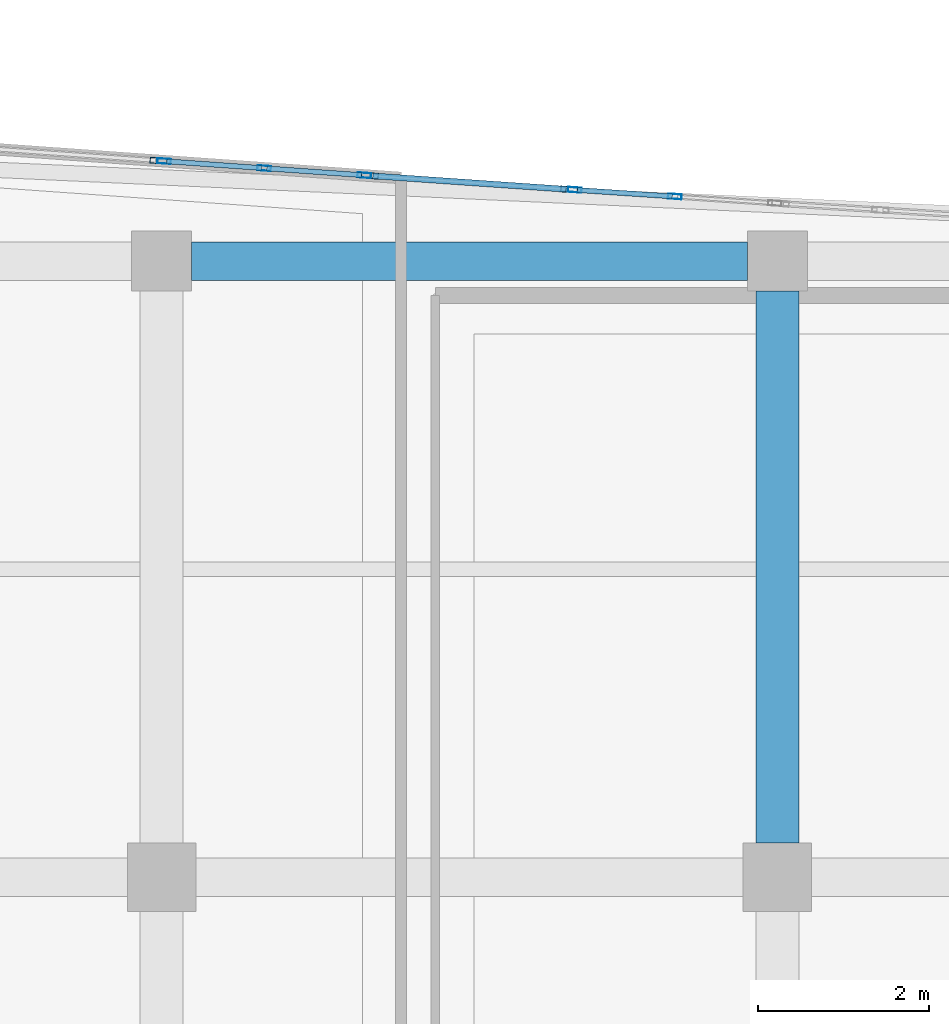
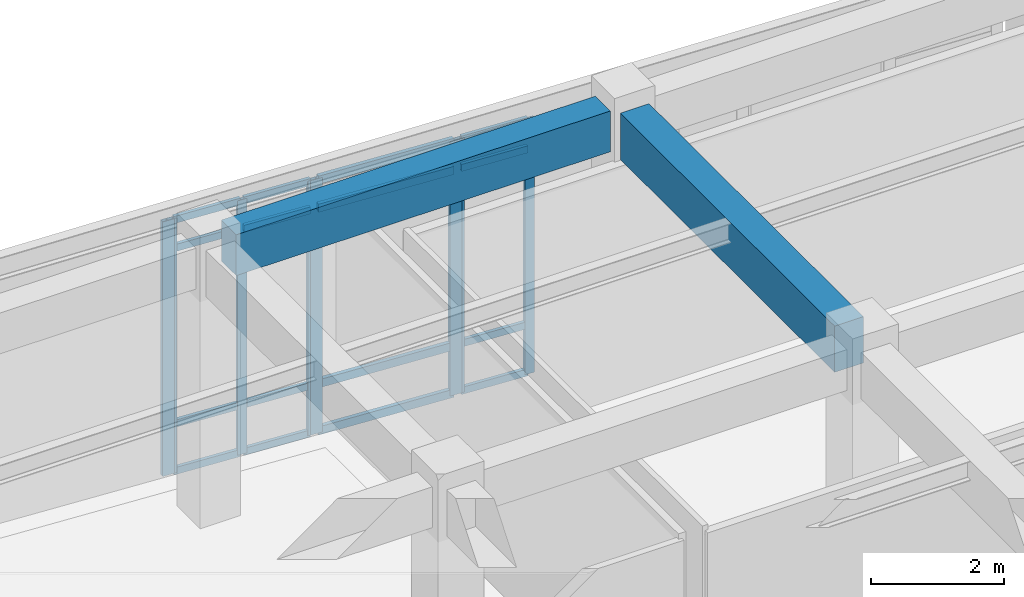
# One storey, part 56 of 102: 24 members, 2 beams, 4 elements without a shape of their own.
"""IFC4 building model written with IfcOpenShell, lengths in metres."""

from ifc_helpers import new_model, si_unit, direction, frame, origin, origin_2d, place, context, subcontext, project, spatial, rectangle, hollow_rectangle, extrude, material, layer, layer_set, material_profile, profile_set, type_object, element, aggregate, save


model = new_model("IFC4")

# Units and contexts
model_context = context("Model", 3, precision=1e-05, world=origin(), true_north=direction((0.0, 1.0)))
body_context = subcontext(model_context, "Body", "Model", "MODEL_VIEW")
ifc_project = project(units=[si_unit("LENGTHUNIT", "METRE"), si_unit("AREAUNIT", "SQUARE_METRE"), si_unit("VOLUMEUNIT", "CUBIC_METRE"), si_unit("PLANEANGLEUNIT", "RADIAN"), si_unit("MASSUNIT", "GRAM", prefix="KILO")], contexts=[model_context])

# Site, building, storey
site_placement = place(None, origin())
site = spatial("IfcSite", under=ifc_project, at=site_placement, CompositionType="ELEMENT")
building_placement = place(site_placement, origin())
building = spatial("IfcBuilding", under=site, at=building_placement, Name="Carrowvane Square Congress Hotel", CompositionType="ELEMENT")
storey_placement = place(building_placement, origin())
storey = spatial("IfcBuildingStorey", under=building, at=storey_placement, Name="L00", CompositionType="ELEMENT", Elevation=0.0)

# Beams
ifc_material_1 = material(Name="Concrete C35/45", Category="concrete")
ifc_material_profile_1 = material_profile(ifc_material_1, rectangle(XDim=0.449951171875, YDim=0.75, at=origin_2d()), Name="RC 450x750")
ifc_profile_set_1 = profile_set([ifc_material_profile_1], Name="Concrete C35/45")
beam_type_1 = type_object("IfcBeamType", Name="BM-RC-450x750", PredefinedType="USERDEFINED", material=ifc_profile_set_1)
beam_1_placement = place(storey_placement, frame((141.550048828125, 113.39990234375, 4.72509765625), z_axis=(1.0, 0.0, 0.0), x_axis=(0.0, 1.0, 0.0)))
element("IfcBeam", 1, at=beam_1_placement, inside=storey, type_object=beam_type_1, Name="L01 girder R/19-20", ObjectType="GIRDER", PredefinedType="USERDEFINED", context=body_context, shape_type="SweptSolid", body=[
    extrude(rectangle(XDim=0.449951171875, YDim=0.75, at=origin_2d()), origin(), (0.0, 0.0, 1.0), 6.5),
])
ifc_material_2 = material(Name="Concrete C35/45", Category="concrete")
ifc_material_profile_2 = material_profile(ifc_material_2, rectangle(XDim=0.5, YDim=0.85009765625, at=origin_2d()), Name="RC 500x850")
ifc_profile_set_2 = profile_set([ifc_material_profile_2], Name="Concrete C35/45")
beam_type_2 = type_object("IfcBeamType", Name="BM-RC-500x850", PredefinedType="USERDEFINED", material=ifc_profile_set_2)
beam_2_placement = place(storey_placement, frame((148.39990234375, 106.60009765625, 4.675048828125), z_axis=(0.0, 1.0, 0.0), x_axis=(-1.0, 0.0, 0.0)))
element("IfcBeam", 2, at=beam_2_placement, inside=storey, type_object=beam_type_2, Name="L01 girder 20/Q-R", ObjectType="GIRDER", PredefinedType="USERDEFINED", context=body_context, shape_type="SweptSolid", body=[
    extrude(rectangle(XDim=0.5, YDim=0.85009765625, at=origin_2d()), origin(), (0.0, 0.0, 1.0), 6.449951171875),
])

# Curtain wall, members
ifc_material_3 = material(Name="Anodised aluminium", Category="aluminium")
ifc_layer_1 = layer(ifc_material_3, 0.2099609375)
ifc_layer_set_1 = layer_set([ifc_layer_1], Name="Anodised aluminium")
curtain_wall_type_1 = type_object("IfcCurtainWallType", Name="CW-SYS-5", PredefinedType="NOTDEFINED", material=ifc_layer_set_1)
curtain_wall_1_placement = place(storey_placement, origin())
curtain_wall_1 = element("IfcCurtainWall", 3, at=curtain_wall_1_placement, inside=storey, type_object=curtain_wall_type_1, Name="L00 unitised curtain wall 44", PredefinedType="NOTDEFINED")
ifc_material_4 = material(Name="Anodised aluminium", Category="aluminium")
ifc_material_profile_3 = material_profile(ifc_material_4, hollow_rectangle(XDim=0.06005859375, YDim=0.159912109375, WallThickness=0.00390625, at=origin_2d()), Name="CW-ML 60x160x4")
ifc_profile_set_3 = profile_set([ifc_material_profile_3], Name="Anodised aluminium")
member_type_1 = type_object("IfcMemberType", Name="CW-MUL-1", PredefinedType="MULLION", material=ifc_profile_set_3)
member_1_placement = place(storey_placement, frame((141.22998046875, 114.569091796875, 0.0), z_axis=(0.0, 0.0, 1.0), x_axis=(0.070585996942, 0.997505697746, 0.0)))
member_1 = element("IfcMember", 4, at=member_1_placement, type_object=member_type_1, Name="CW-5 mullion 1", PredefinedType="MULLION", context=body_context, shape_type="SweptSolid", body=[
    extrude(hollow_rectangle(XDim=0.06005859375, YDim=0.159912109375, WallThickness=0.00390625, at=origin_2d()), origin(), (0.0, 0.0, 1.0), 4.675537109375),
])
member_2_placement = place(storey_placement, frame((142.39990234375, 114.486328125, 0.0), z_axis=(0.0, 0.0, 1.0), x_axis=(0.070585996942, 0.997505697746, 0.0)))
member_2 = element("IfcMember", 5, at=member_2_placement, type_object=member_type_1, Name="CW-5 mullion 2", PredefinedType="MULLION", context=body_context, shape_type="SweptSolid", body=[
    extrude(hollow_rectangle(XDim=0.06005859375, YDim=0.159912109375, WallThickness=0.00390625, at=origin_2d()), origin(), (0.0, 0.0, 1.0), 4.675537109375),
])
member_3_placement = place(storey_placement, frame((143.570068359375, 114.403564453125, 0.0), z_axis=(0.0, 0.0, 1.0), x_axis=(0.070585996942, 0.997505697746, 0.0)))
member_3 = element("IfcMember", 6, at=member_3_placement, type_object=member_type_1, Name="CW-5 mullion 3", PredefinedType="MULLION", context=body_context, shape_type="SweptSolid", body=[
    extrude(hollow_rectangle(XDim=0.06005859375, YDim=0.159912109375, WallThickness=0.00390625, at=origin_2d()), origin(), (0.0, 0.0, 1.0), 4.675537109375),
])

ifc_material_5 = material(Name="Anodised aluminium", Category="aluminium")
ifc_layer_2 = layer(ifc_material_5, 0.23388671875)
ifc_layer_set_2 = layer_set([ifc_layer_2], Name="Anodised aluminium")
curtain_wall_type_2 = type_object("IfcCurtainWallType", Name="CW-SYS-7", PredefinedType="NOTDEFINED", material=ifc_layer_set_2)
curtain_wall_2_placement = place(storey_placement, origin())
curtain_wall_2 = element("IfcCurtainWall", 7, at=curtain_wall_2_placement, inside=storey, type_object=curtain_wall_type_2, Name="L00 unitised curtain wall 46", PredefinedType="NOTDEFINED")
member_4_placement = place(storey_placement, frame((146.030029296875, 114.2333984375, 0.0), z_axis=(0.0, 0.0, 1.0), x_axis=(0.06657392244, 0.997781495544, 0.0)))
member_4 = element("IfcMember", 8, at=member_4_placement, type_object=member_type_1, Name="CW-7 mullion 1", PredefinedType="MULLION", context=body_context, shape_type="SweptSolid", body=[
    extrude(hollow_rectangle(XDim=0.06005859375, YDim=0.159912109375, WallThickness=0.00390625, at=origin_2d()), origin(), (0.0, 0.0, 1.0), 4.675537109375),
])
member_5_placement = place(storey_placement, frame((147.199951171875, 114.155517578125, 0.0), z_axis=(0.0, 0.0, 1.0), x_axis=(0.06657392244, 0.997781495544, 0.0)))
member_5 = element("IfcMember", 9, at=member_5_placement, type_object=member_type_1, Name="CW-7 mullion 2", PredefinedType="MULLION", context=body_context, shape_type="SweptSolid", body=[
    extrude(hollow_rectangle(XDim=0.06005859375, YDim=0.159912109375, WallThickness=0.00390625, at=origin_2d()), origin(), (0.0, 0.0, 1.0), 4.675537109375),
])

# Curtain wall, member
ifc_material_6 = material(Name="Anodised aluminium", Category="aluminium")
ifc_layer_3 = layer(ifc_material_6, 0.197998046875)
ifc_layer_set_3 = layer_set([ifc_layer_3], Name="Anodised aluminium")
curtain_wall_type_3 = type_object("IfcCurtainWallType", Name="CW-SYS-4", PredefinedType="NOTDEFINED", material=ifc_layer_set_3)
curtain_wall_3_placement = place(storey_placement, origin())
curtain_wall_3 = element("IfcCurtainWall", 10, at=curtain_wall_3_placement, inside=storey, type_object=curtain_wall_type_3, Name="L00 unitised curtain wall 43", PredefinedType="NOTDEFINED")
ifc_material_7 = material(Name="Anodised aluminium", Category="aluminium")
ifc_material_profile_4 = material_profile(ifc_material_7, hollow_rectangle(XDim=0.070068359375, YDim=0.199951171875, WallThickness=0.0048828125, at=origin_2d()), Name="CW-ML 70x200x5")
ifc_profile_set_4 = profile_set([ifc_material_profile_4], Name="Anodised aluminium")
member_type_2 = type_object("IfcMemberType", Name="CW-MUL-2", PredefinedType="MULLION", material=ifc_profile_set_4)
member_6_placement = place(storey_placement, frame((141.1650390625, 114.57373046875, 0.0), z_axis=(0.0, 0.0, 1.0), x_axis=(0.071422490945, 0.997446152826, 0.0)))
member_6 = element("IfcMember", 11, at=member_6_placement, type_object=member_type_2, Name="CW-4 mullion 2", PredefinedType="MULLION", context=body_context, shape_type="SweptSolid", body=[
    extrude(hollow_rectangle(XDim=0.070068359375, YDim=0.199951171875, WallThickness=0.0048828125, at=origin_2d()), origin(), (0.0, 0.0, 1.0), 4.675537109375),
])
aggregate(curtain_wall_3, [member_6])

# Curtain wall, members
ifc_material_8 = material(Name="Anodised aluminium", Category="aluminium")
ifc_layer_4 = layer(ifc_material_8, 0.221923828125)
ifc_layer_set_4 = layer_set([ifc_layer_4], Name="Anodised aluminium")
curtain_wall_type_4 = type_object("IfcCurtainWallType", Name="CW-SYS-6", PredefinedType="NOTDEFINED", material=ifc_layer_set_4)
curtain_wall_4_placement = place(storey_placement, origin())
curtain_wall_4 = element("IfcCurtainWall", 12, at=curtain_wall_4_placement, inside=storey, type_object=curtain_wall_type_4, Name="L00 unitised curtain wall 45", PredefinedType="NOTDEFINED")
member_7_placement = place(storey_placement, frame((143.635009765625, 114.39892578125, 0.0), z_axis=(0.0, 0.0, 1.0), x_axis=(0.068986120725, 0.997617619706, 0.0)))
member_7 = element("IfcMember", 13, at=member_7_placement, type_object=member_type_2, Name="CW-6 mullion 1", PredefinedType="MULLION", context=body_context, shape_type="SweptSolid", body=[
    extrude(hollow_rectangle(XDim=0.070068359375, YDim=0.199951171875, WallThickness=0.0048828125, at=origin_2d()), origin(), (0.0, 0.0, 1.0), 4.675537109375),
])
member_8_placement = place(storey_placement, frame((145.965087890625, 114.23779296875, 0.0), z_axis=(0.0, 0.0, 1.0), x_axis=(0.068986120725, 0.997617619706, 0.0)))
member_8 = element("IfcMember", 14, at=member_8_placement, type_object=member_type_2, Name="CW-6 mullion 2", PredefinedType="MULLION", context=body_context, shape_type="SweptSolid", body=[
    extrude(hollow_rectangle(XDim=0.070068359375, YDim=0.199951171875, WallThickness=0.0048828125, at=origin_2d()), origin(), (0.0, 0.0, 1.0), 4.675537109375),
])

# Member
ifc_material_9 = material(Name="Anodised aluminium", Category="aluminium")
ifc_material_profile_5 = material_profile(ifc_material_9, hollow_rectangle(XDim=0.06005859375, YDim=0.1298828125, WallThickness=0.00390625, at=origin_2d()), Name="CW-TR 60x130x4")
ifc_profile_set_5 = profile_set([ifc_material_profile_5], Name="Anodised aluminium")
member_type_3 = type_object("IfcMemberType", Name="CW-TRN-1", PredefinedType="USERDEFINED", material=ifc_profile_set_5)
member_9_placement = place(storey_placement, frame((141.259765625, 114.567138671875, 0.030029296875), z_axis=(0.997503038551, -0.070623566054, 0.0), x_axis=(0.070623566054, 0.997503038551, 0.0)))
member_9 = element("IfcMember", 15, at=member_9_placement, type_object=member_type_3, Name="CW-5 transom 1.1", ObjectType="TRANSOM", PredefinedType="USERDEFINED", context=body_context, shape_type="SweptSolid", body=[
    extrude(hollow_rectangle(XDim=0.06005859375, YDim=0.1298828125, WallThickness=0.00390625, at=origin_2d()), origin(), (0.0, 0.0, 1.0), 1.113037109375),
])

member_10_placement = place(storey_placement, frame((141.259765625, 114.567138671875, 0.89990234375), z_axis=(0.997503038551, -0.070623566054, 0.0), x_axis=(0.070623566054, 0.997503038551, 0.0)))
member_10 = element("IfcMember", 16, at=member_10_placement, type_object=member_type_3, Name="CW-5 transom 1.2", ObjectType="TRANSOM", PredefinedType="USERDEFINED", context=body_context, shape_type="SweptSolid", body=[
    extrude(hollow_rectangle(XDim=0.06005859375, YDim=0.1298828125, WallThickness=0.00390625, at=origin_2d()), origin(), (0.0, 0.0, 1.0), 1.113037109375),
])

member_11_placement = place(storey_placement, frame((141.259765625, 114.567138671875, 4.12548828125), z_axis=(0.997503038551, -0.070623566054, 0.0), x_axis=(0.070623566054, 0.997503038551, 0.0)))
member_11 = element("IfcMember", 17, at=member_11_placement, type_object=member_type_3, Name="CW-5 transom 1.3", ObjectType="TRANSOM", PredefinedType="USERDEFINED", context=body_context, shape_type="SweptSolid", body=[
    extrude(hollow_rectangle(XDim=0.06005859375, YDim=0.1298828125, WallThickness=0.00390625, at=origin_2d()), origin(), (0.0, 0.0, 1.0), 1.113037109375),
])

member_12_placement = place(storey_placement, frame((141.259765625, 114.567138671875, 4.6455078125), z_axis=(0.997503038551, -0.070623566054, 0.0), x_axis=(0.070623566054, 0.997503038551, 0.0)))
member_12 = element("IfcMember", 18, at=member_12_placement, type_object=member_type_3, Name="CW-5 transom 1.4", ObjectType="TRANSOM", PredefinedType="USERDEFINED", context=body_context, shape_type="SweptSolid", body=[
    extrude(hollow_rectangle(XDim=0.06005859375, YDim=0.1298828125, WallThickness=0.00390625, at=origin_2d()), origin(), (0.0, 0.0, 1.0), 1.113037109375),
])

member_13_placement = place(storey_placement, frame((142.429931640625, 114.484130859375, 0.030029296875), z_axis=(0.997517378391, -0.070420734212, 0.0), x_axis=(0.070420734212, 0.997517378391, 0.0)))
member_13 = element("IfcMember", 19, at=member_13_placement, type_object=member_type_3, Name="CW-5 transom 2.1", ObjectType="TRANSOM", PredefinedType="USERDEFINED", context=body_context, shape_type="SweptSolid", body=[
    extrude(hollow_rectangle(XDim=0.06005859375, YDim=0.1298828125, WallThickness=0.00390625, at=origin_2d()), origin(), (0.0, 0.0, 1.0), 1.11279296875),
])

member_14_placement = place(storey_placement, frame((142.429931640625, 114.484130859375, 0.89990234375), z_axis=(0.997517378391, -0.070420734212, 0.0), x_axis=(0.070420734212, 0.997517378391, 0.0)))
member_14 = element("IfcMember", 20, at=member_14_placement, type_object=member_type_3, Name="CW-5 transom 2.2", ObjectType="TRANSOM", PredefinedType="USERDEFINED", context=body_context, shape_type="SweptSolid", body=[
    extrude(hollow_rectangle(XDim=0.06005859375, YDim=0.1298828125, WallThickness=0.00390625, at=origin_2d()), origin(), (0.0, 0.0, 1.0), 1.11279296875),
])

member_15_placement = place(storey_placement, frame((142.429931640625, 114.484130859375, 4.12548828125), z_axis=(0.997517378391, -0.070420734212, 0.0), x_axis=(0.070420734212, 0.997517378391, 0.0)))
member_15 = element("IfcMember", 21, at=member_15_placement, type_object=member_type_3, Name="CW-5 transom 2.3", ObjectType="TRANSOM", PredefinedType="USERDEFINED", context=body_context, shape_type="SweptSolid", body=[
    extrude(hollow_rectangle(XDim=0.06005859375, YDim=0.1298828125, WallThickness=0.00390625, at=origin_2d()), origin(), (0.0, 0.0, 1.0), 1.11279296875),
])

member_16_placement = place(storey_placement, frame((142.429931640625, 114.484130859375, 4.6455078125), z_axis=(0.997517378391, -0.070420734212, 0.0), x_axis=(0.070420734212, 0.997517378391, 0.0)))
member_16 = element("IfcMember", 22, at=member_16_placement, type_object=member_type_3, Name="CW-5 transom 2.4", ObjectType="TRANSOM", PredefinedType="USERDEFINED", context=body_context, shape_type="SweptSolid", body=[
    extrude(hollow_rectangle(XDim=0.06005859375, YDim=0.1298828125, WallThickness=0.00390625, at=origin_2d()), origin(), (0.0, 0.0, 1.0), 1.11279296875),
])

aggregate(curtain_wall_1, [member_1, member_2, member_3, member_9, member_10, member_11, member_12, member_13, member_14, member_15, member_16])

member_17_placement = place(storey_placement, frame((146.059814453125, 114.2314453125, 0.030029296875), z_axis=(0.997788069164, -0.066475326508, 0.0), x_axis=(0.066475326508, 0.997788069164, 0.0)))
member_17 = element("IfcMember", 23, at=member_17_placement, type_object=member_type_3, Name="CW-7 transom 1.1", ObjectType="TRANSOM", PredefinedType="USERDEFINED", context=body_context, shape_type="SweptSolid", body=[
    extrude(hollow_rectangle(XDim=0.06005859375, YDim=0.1298828125, WallThickness=0.00390625, at=origin_2d()), origin(), (0.0, 0.0, 1.0), 1.11279296875),
])

member_18_placement = place(storey_placement, frame((146.059814453125, 114.2314453125, 0.89990234375), z_axis=(0.997788069164, -0.066475326508, 0.0), x_axis=(0.066475326508, 0.997788069164, 0.0)))
member_18 = element("IfcMember", 24, at=member_18_placement, type_object=member_type_3, Name="CW-7 transom 1.2", ObjectType="TRANSOM", PredefinedType="USERDEFINED", context=body_context, shape_type="SweptSolid", body=[
    extrude(hollow_rectangle(XDim=0.06005859375, YDim=0.1298828125, WallThickness=0.00390625, at=origin_2d()), origin(), (0.0, 0.0, 1.0), 1.11279296875),
])

member_19_placement = place(storey_placement, frame((146.059814453125, 114.2314453125, 4.12548828125), z_axis=(0.997788069164, -0.066475326508, 0.0), x_axis=(0.066475326508, 0.997788069164, 0.0)))
member_19 = element("IfcMember", 25, at=member_19_placement, type_object=member_type_3, Name="CW-7 transom 1.3", ObjectType="TRANSOM", PredefinedType="USERDEFINED", context=body_context, shape_type="SweptSolid", body=[
    extrude(hollow_rectangle(XDim=0.06005859375, YDim=0.1298828125, WallThickness=0.00390625, at=origin_2d()), origin(), (0.0, 0.0, 1.0), 1.11279296875),
])

member_20_placement = place(storey_placement, frame((146.059814453125, 114.2314453125, 4.6455078125), z_axis=(0.997788069164, -0.066475326508, 0.0), x_axis=(0.066475326508, 0.997788069164, 0.0)))
member_20 = element("IfcMember", 26, at=member_20_placement, type_object=member_type_3, Name="CW-7 transom 1.4", ObjectType="TRANSOM", PredefinedType="USERDEFINED", context=body_context, shape_type="SweptSolid", body=[
    extrude(hollow_rectangle(XDim=0.06005859375, YDim=0.1298828125, WallThickness=0.00390625, at=origin_2d()), origin(), (0.0, 0.0, 1.0), 1.11279296875),
])

aggregate(curtain_wall_2, [member_4, member_5, member_17, member_18, member_19, member_20])

ifc_material_10 = material(Name="Anodised aluminium", Category="aluminium")
ifc_material_profile_6 = material_profile(ifc_material_10, hollow_rectangle(XDim=0.070068359375, YDim=0.14990234375, WallThickness=0.0048828125, at=origin_2d()), Name="CW-TR 70x150x5")
ifc_profile_set_6 = profile_set([ifc_material_profile_6], Name="Anodised aluminium")
member_type_4 = type_object("IfcMemberType", Name="CW-TRN-2", PredefinedType="USERDEFINED", material=ifc_profile_set_6)
member_21_placement = place(storey_placement, frame((143.669921875, 114.396728515625, 0.034912109375), z_axis=(0.997611673576, -0.069072054738, 0.0), x_axis=(0.069072054738, 0.997611673576, 0.0)))
member_21 = element("IfcMember", 27, at=member_21_placement, type_object=member_type_4, Name="CW-6 transom 1.1", ObjectType="TRANSOM", PredefinedType="USERDEFINED", context=body_context, shape_type="SweptSolid", body=[
    extrude(hollow_rectangle(XDim=0.070068359375, YDim=0.14990234375, WallThickness=0.0048828125, at=origin_2d()), origin(), (0.0, 0.0, 1.0), 2.265625),
])

member_22_placement = place(storey_placement, frame((143.669921875, 114.396728515625, 0.89990234375), z_axis=(0.997611673576, -0.069072054738, 0.0), x_axis=(0.069072054738, 0.997611673576, 0.0)))
member_22 = element("IfcMember", 28, at=member_22_placement, type_object=member_type_4, Name="CW-6 transom 1.2", ObjectType="TRANSOM", PredefinedType="USERDEFINED", context=body_context, shape_type="SweptSolid", body=[
    extrude(hollow_rectangle(XDim=0.070068359375, YDim=0.14990234375, WallThickness=0.0048828125, at=origin_2d()), origin(), (0.0, 0.0, 1.0), 2.265625),
])

member_23_placement = place(storey_placement, frame((143.669921875, 114.396728515625, 4.12548828125), z_axis=(0.997611673576, -0.069072054738, 0.0), x_axis=(0.069072054738, 0.997611673576, 0.0)))
member_23 = element("IfcMember", 29, at=member_23_placement, type_object=member_type_4, Name="CW-6 transom 1.3", ObjectType="TRANSOM", PredefinedType="USERDEFINED", context=body_context, shape_type="SweptSolid", body=[
    extrude(hollow_rectangle(XDim=0.070068359375, YDim=0.14990234375, WallThickness=0.0048828125, at=origin_2d()), origin(), (0.0, 0.0, 1.0), 2.265625),
])

member_24_placement = place(storey_placement, frame((143.669921875, 114.396728515625, 4.640625), z_axis=(0.997611673576, -0.069072054738, 0.0), x_axis=(0.069072054738, 0.997611673576, 0.0)))
member_24 = element("IfcMember", 30, at=member_24_placement, type_object=member_type_4, Name="CW-6 transom 1.4", ObjectType="TRANSOM", PredefinedType="USERDEFINED", context=body_context, shape_type="SweptSolid", body=[
    extrude(hollow_rectangle(XDim=0.070068359375, YDim=0.14990234375, WallThickness=0.0048828125, at=origin_2d()), origin(), (0.0, 0.0, 1.0), 2.265625),
])

aggregate(curtain_wall_4, [member_7, member_8, member_21, member_22, member_23, member_24])

save(model, "model.ifc")
